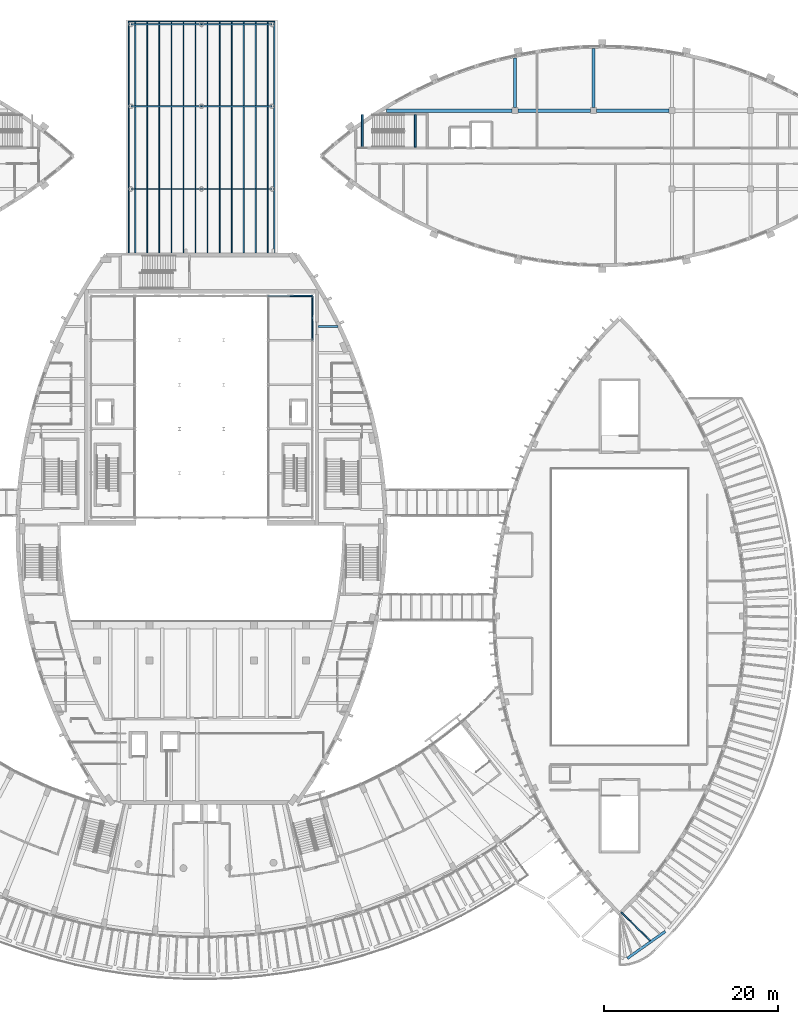
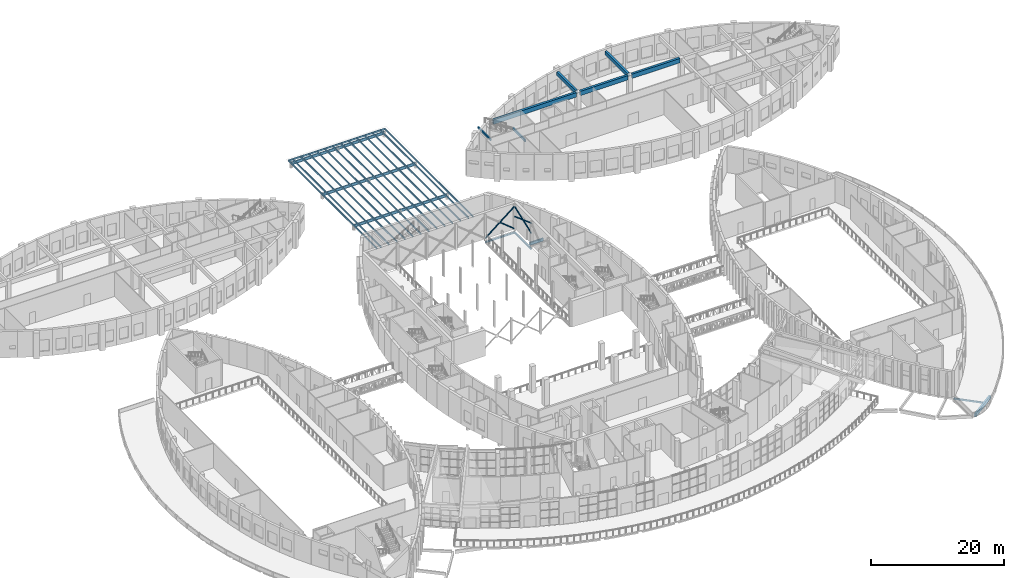
# One storey, part 38 of 93: 41 members, 21 beams.
"""IFC4 building model written with IfcOpenShell, lengths in metres."""

from ifc_helpers import new_model, si_unit, direction, frame, origin, origin_2d, place, context, subcontext, project, spatial, rectangle, hollow_rectangle, hollow_circle, i_section, extrude, material, material_profile, profile_set, type_object, element, save


model = new_model("IFC4")

# Units and contexts
model_context = context("Model", 3, precision=1e-05, world=origin(), true_north=direction((0.0, 1.0)))
body_context = subcontext(model_context, "Body", "Model", "MODEL_VIEW")
ifc_project = project(units=[si_unit("LENGTHUNIT", "METRE"), si_unit("AREAUNIT", "SQUARE_METRE"), si_unit("VOLUMEUNIT", "CUBIC_METRE"), si_unit("PLANEANGLEUNIT", "RADIAN"), si_unit("MASSUNIT", "GRAM", prefix="KILO")], contexts=[model_context])

# Site, building, storey
site_placement = place(None, origin())
site = spatial("IfcSite", under=ifc_project, at=site_placement, CompositionType="ELEMENT")
building_placement = place(site_placement, origin())
building = spatial("IfcBuilding", under=site, at=building_placement, Name="Tide Square Theatres", CompositionType="ELEMENT")
storey_placement = place(building_placement, frame((0.0, 0.0, 5.39990234375)))
storey = spatial("IfcBuildingStorey", under=building, at=storey_placement, Name="L01", CompositionType="ELEMENT", Elevation=5.39990234375)

# Beams
ifc_material_1 = material(Name="Concrete C35", Category="concrete")
ifc_material_profile_1 = material_profile(ifc_material_1, rectangle(XDim=0.14990234375, YDim=0.300048828125, at=origin_2d()))
ifc_profile_set_1 = profile_set([ifc_material_profile_1], Name="Concrete C35")
beam_type_1 = type_object("IfcBeamType", Name="RC arcade roof rib 150 x 300", PredefinedType="JOIST", material=ifc_profile_set_1)
beam_1_placement = place(storey_placement, frame((135.503173828125, 7.7314453125, -0.349853515625), z_axis=(-0.717702048746, 0.696350320762, 0.0), x_axis=(-0.696350320762, -0.717702048746, 0.0)))
element("IfcBeam", 1, at=beam_1_placement, inside=storey, type_object=beam_type_1, Name="Arcade roof rib", PredefinedType="JOIST", context=body_context, shape_type="SweptSolid", body=[
    extrude(rectangle(XDim=0.14990234375, YDim=0.300048828125, at=origin_2d()), origin(), (0.0, 0.0, 1.0), 4.642333984375),
])
ifc_material_2 = material(Name="Concrete C35", Category="concrete")
ifc_material_profile_2 = material_profile(ifc_material_2, rectangle(XDim=0.199951171875, YDim=0.39990234375, at=origin_2d()))
ifc_profile_set_2 = profile_set([ifc_material_profile_2], Name="Concrete C35")
beam_type_2 = type_object("IfcBeamType", Name="RC beam 200 x 400", PredefinedType="BEAM", material=ifc_profile_set_2)
for number, where, z_axis, x_axis, name in (
    (2, (102.449951171875, 98.800048828125, 4.320068359375), (0.0, 1.0, 0.0), (-1.0, 0.0, 0.0), "Rehearsal Block stair floor landing beam"),
    (3, (108.51953125, 98.800048828125, 2.0), (0.0, 1.0, 0.0), (-1.0, 0.0, 0.0), "Rehearsal Block stair landing beam"),
):
    element("IfcBeam", number, at=place(storey_placement, frame(where, z_axis=z_axis, x_axis=x_axis)), inside=storey, type_object=beam_type_2, Name=name, PredefinedType="BEAM", context=body_context, shape_type="SweptSolid", body=[
        extrude(rectangle(XDim=0.199951171875, YDim=0.39990234375, at=origin_2d()), origin(), (0.0, 0.0, 1.0), 3.75),
    ])
ifc_material_3 = material(Name="Concrete C35", Category="concrete")
ifc_material_profile_3 = material_profile(ifc_material_3, rectangle(XDim=0.25, YDim=0.5, at=origin_2d()))
ifc_profile_set_3 = profile_set([ifc_material_profile_3], Name="Concrete C35")
beam_type_3 = type_object("IfcBeamType", Name="RC beam 250 x 500", PredefinedType="BEAM", material=ifc_profile_set_3)
beam_2_placement = place(storey_placement, frame((97.35009765625, 78.199951171875, -0.5), z_axis=(1.0, 0.0, 0.0), x_axis=(0.0, 1.0, 0.0)))
element("IfcBeam", 4, at=beam_2_placement, inside=storey, type_object=beam_type_3, Name="Floor beam", PredefinedType="BEAM", context=body_context, shape_type="SweptSolid", body=[
    extrude(rectangle(XDim=0.25, YDim=0.5, at=origin_2d()), origin(), (0.0, 0.0, 1.0), 2.335205078125),
])
ifc_material_4 = material(Name="Concrete C35", Category="concrete")
ifc_material_profile_4 = material_profile(ifc_material_4, rectangle(XDim=0.300048828125, YDim=0.60009765625, at=origin_2d()))
ifc_profile_set_4 = profile_set([ifc_material_profile_4], Name="Concrete C35")
beam_type_4 = type_object("IfcBeamType", Name="RC beam 300 x 600", PredefinedType="BEAM", material=ifc_profile_set_4)
beam_3_placement = place(storey_placement, frame((132.885986328125, 5.692138671875, -0.5), z_axis=(0.815323131648, 0.57900620981, 0.0), x_axis=(-0.57900620981, 0.815323131648, 0.0)))
element("IfcBeam", 5, at=beam_3_placement, inside=storey, type_object=beam_type_4, Name="Colonnade beam", PredefinedType="BEAM", context=body_context, shape_type="SweptSolid", body=[
    extrude(rectangle(XDim=0.300048828125, YDim=0.60009765625, at=origin_2d()), origin(), (0.0, 0.0, 1.0), 5.333984375),
])
ifc_material_5 = material(Name="Concrete C35", Category="concrete")
ifc_material_profile_5 = material_profile(ifc_material_5, rectangle(XDim=0.35009765625, YDim=0.699951171875, at=origin_2d()))
ifc_profile_set_5 = profile_set([ifc_material_profile_5], Name="Concrete C35")
beam_type_5 = type_object("IfcBeamType", Name="RC beam 350 x 700", PredefinedType="BEAM", material=ifc_profile_set_5)
beam_4_placement = place(storey_placement, frame((120.0, 103.35009765625, 4.170166015625), z_axis=(0.0, 1.0, 0.0), x_axis=(-1.0, 0.0, 0.0)))
element("IfcBeam", 6, at=beam_4_placement, inside=storey, type_object=beam_type_5, Name="Rehearsal Block floor beam L02 8", PredefinedType="BEAM", context=body_context, shape_type="SweptSolid", body=[
    extrude(rectangle(XDim=0.35009765625, YDim=0.699951171875, at=origin_2d()), origin(), (0.0, 0.0, 1.0), 5.685546875),
])
beam_5_placement = place(storey_placement, frame((129.0, 103.35009765625, 4.170166015625), z_axis=(0.0, 1.0, 0.0), x_axis=(-1.0, 0.0, 0.0)))
element("IfcBeam", 7, at=beam_5_placement, inside=storey, type_object=beam_type_5, Name="Rehearsal Block floor beam L02 9", PredefinedType="BEAM", context=body_context, shape_type="SweptSolid", body=[
    extrude(rectangle(XDim=0.35009765625, YDim=0.699951171875, at=origin_2d()), origin(), (0.0, 0.0, 1.0), 6.7734375),
])
ifc_material_6 = material(Name="Concrete C35", Category="concrete")
ifc_material_profile_6 = material_profile(ifc_material_6, rectangle(XDim=0.39990234375, YDim=0.800048828125, at=origin_2d()))
ifc_profile_set_6 = profile_set([ifc_material_profile_6], Name="Concrete C35")
beam_type_6 = type_object("IfcBeamType", Name="RC beam 400 x 800", PredefinedType="BEAM", material=ifc_profile_set_6)
beam_6_placement = place(storey_placement, frame((105.257080078125, 103.0, 4.1201171875), z_axis=(1.0, 0.0, 0.0), x_axis=(0.0, 1.0, 0.0)))
element("IfcBeam", 8, at=beam_6_placement, inside=storey, type_object=beam_type_6, Name="Rehearsal Block floor beam L02 3", PredefinedType="BEAM", context=body_context, shape_type="SweptSolid", body=[
    extrude(rectangle(XDim=0.39990234375, YDim=0.800048828125, at=origin_2d()), origin(), (0.0, 0.0, 1.0), 14.392822265625),
])
for number, where, z_axis, x_axis, name in (
    (9, (120.35009765625, 103.0, 4.1201171875), (1.0, 0.0, 0.0), (0.0, 1.0, 0.0), "Rehearsal Block floor beam L02 4"),
    (10, (129.35009765625, 103.0, 4.1201171875), (1.0, 0.0, 0.0), (0.0, 1.0, 0.0), "Rehearsal Block floor beam L02 5"),
):
    element("IfcBeam", number, at=place(storey_placement, frame(where, z_axis=z_axis, x_axis=x_axis)), inside=storey, type_object=beam_type_6, Name=name, PredefinedType="BEAM", context=body_context, shape_type="SweptSolid", body=[
        extrude(rectangle(XDim=0.39990234375, YDim=0.800048828125, at=origin_2d()), origin(), (0.0, 0.0, 1.0), 8.2998046875),
    ])
ifc_material_7 = material(Name="Steel ASTM A500 Grade C", Category="steel")
ifc_material_profile_7 = material_profile(ifc_material_7, hollow_rectangle(XDim=0.14990234375, YDim=0.300048828125, WallThickness=0.010009765625, InnerFilletRadius=0.010009765625, OuterFilletRadius=0.02001953125, at=origin_2d()))
ifc_profile_set_7 = profile_set([ifc_material_profile_7], Name="Steel ASTM A500 Grade C")
beam_type_7 = type_object("IfcBeamType", Name="Steel beam RHS 300 x 150 x 10.0", PredefinedType="BEAM", material=ifc_profile_set_7)
for number, where, z_axis, x_axis, name in (
    (11, (75.64990234375, 86.642333984375, 1.110107421875), (0.0, 1.0, 0.0), (-1.0, 0.0, 0.0), "Canopy edge beam"),
    (12, (92.35009765625, 86.642333984375, 1.110107421875), (0.0, 1.0, 0.0), (-1.0, 0.0, 0.0), "Canopy edge beam"),
):
    element("IfcBeam", number, at=place(storey_placement, frame(where, z_axis=z_axis, x_axis=x_axis)), inside=storey, type_object=beam_type_7, Name=name, PredefinedType="BEAM", context=body_context, shape_type="SweptSolid", body=[
        extrude(hollow_rectangle(XDim=0.14990234375, YDim=0.300048828125, WallThickness=0.010009765625, InnerFilletRadius=0.010009765625, OuterFilletRadius=0.02001953125, at=origin_2d()), origin(), (0.0, 0.0, 1.0), 26.507568359375),
    ])
beam_7_placement = place(storey_placement, frame((75.574951171875, 113.22509765625, 1.110107421875), z_axis=(1.0, 0.0, 0.0), x_axis=(0.0, 1.0, 0.0)))
element("IfcBeam", 13, at=beam_7_placement, inside=storey, type_object=beam_type_7, Name="Canopy edge beam", PredefinedType="BEAM", context=body_context, shape_type="SweptSolid", body=[
    extrude(hollow_rectangle(XDim=0.14990234375, YDim=0.300048828125, WallThickness=0.010009765625, InnerFilletRadius=0.010009765625, OuterFilletRadius=0.02001953125, at=origin_2d()), origin(), (0.0, 0.0, 1.0), 16.85009765625),
])
ifc_material_8 = material(Name="Steel ASTM A572 Grade 50", Category="steel")
ifc_material_profile_8 = material_profile(ifc_material_8, i_section(OverallWidth=0.1650390625, OverallDepth=0.31005859375, WebThickness=0.005859375, FlangeThickness=0.009765625, FilletRadius=0.010009765625, at=origin_2d()))
ifc_profile_set_8 = profile_set([ifc_material_profile_8], Name="Steel ASTM A572 Grade 50")
beam_type_8 = type_object("IfcBeamType", Name="Steel beam W 310 x 38.7", PredefinedType="BEAM", material=ifc_profile_set_8)
for number, where, z_axis, x_axis, name in (
    (14, (96.72412109375, 76.634521484375, -0.35498046875), (0.0, 1.0, 0.0), (-1.0, 0.0, 0.0), "Fly gallery beam"),
    (15, (91.634521484375, 81.72412109375, -0.35498046875), (1.0, 0.0, 0.0), (0.0, 1.0, 0.0), "Fly gallery cross beam"),
):
    element("IfcBeam", number, at=place(storey_placement, frame(where, z_axis=z_axis, x_axis=x_axis)), inside=storey, type_object=beam_type_8, Name=name, PredefinedType="BEAM", context=body_context, shape_type="SweptSolid", body=[
        extrude(i_section(OverallWidth=0.1650390625, OverallDepth=0.31005859375, WebThickness=0.005859375, FlangeThickness=0.009765625, FilletRadius=0.010009765625, at=origin_2d()), origin(), (0.0, 0.0, 1.0), 5.089599609375),
    ])
ifc_material_9 = material(Name="Steel ASTM A572 Grade 50", Category="steel")
ifc_material_profile_9 = material_profile(ifc_material_9, i_section(OverallWidth=0.166015625, OverallDepth=0.534912109375, WebThickness=0.01025390625, FlangeThickness=0.0166015625, FilletRadius=0.011962890625, at=origin_2d()))
ifc_profile_set_9 = profile_set([ifc_material_profile_9], Name="Steel ASTM A572 Grade 50")
beam_type_9 = type_object("IfcBeamType", Name="Steel beam W 530 x 85.0", PredefinedType="BEAM", material=ifc_profile_set_9)
for number, where, z_axis, x_axis, name in (
    (16, (75.89990234375, 94.0, 0.692626953125), (1.0, 0.0, 0.0), (0.0, 1.0, 0.0), "Canopy beam"),
    (17, (84.0, 94.0, 0.692626953125), (1.0, 0.0, 0.0), (0.0, 1.0, 0.0), "Canopy beam"),
    (18, (75.89990234375, 103.5, 0.692626953125), (1.0, 0.0, 0.0), (0.0, 1.0, 0.0), "Canopy beam"),
    (19, (84.0, 103.5, 0.692626953125), (1.0, 0.0, 0.0), (0.0, 1.0, 0.0), "Canopy beam"),
    (20, (75.89990234375, 112.89990234375, 0.692626953125), (1.0, 0.0, 0.0), (0.0, 1.0, 0.0), "Canopy beam"),
    (21, (84.0, 112.89990234375, 0.692626953125), (1.0, 0.0, 0.0), (0.0, 1.0, 0.0), "Canopy beam"),
):
    element("IfcBeam", number, at=place(storey_placement, frame(where, z_axis=z_axis, x_axis=x_axis)), inside=storey, type_object=beam_type_9, Name=name, PredefinedType="BEAM", context=body_context, shape_type="SweptSolid", body=[
        extrude(i_section(OverallWidth=0.166015625, OverallDepth=0.534912109375, WebThickness=0.01025390625, FlangeThickness=0.0166015625, FilletRadius=0.011962890625, at=origin_2d()), origin(), (0.0, 0.0, 1.0), 8.10009765625),
    ])

# Members
ifc_material_10 = material(Name="Steel ASTM A500 Grade C", Category="steel")
ifc_material_profile_10 = material_profile(ifc_material_10, hollow_circle(Radius=0.109619140625, WallThickness=0.010009765625, at=origin_2d()))
ifc_profile_set_10 = profile_set([ifc_material_profile_10], Name="Steel ASTM A500 Grade C")
member_type_1 = type_object("IfcMemberType", Name="Steel brace CHS 219.1 x 10.0", PredefinedType="BRACE", material=ifc_profile_set_10)
member_1_placement = place(storey_placement, frame((91.634521484375, 81.72412109375, 0.35009765625), z_axis=(0.778743263534, 0.0, 0.627342752808), x_axis=(0.0, 1.0, 0.0)))
element("IfcMember", 22, at=member_1_placement, inside=storey, type_object=member_type_1, Name="Fly tower brace", PredefinedType="BRACE", context=body_context, shape_type="SweptSolid", body=[
    extrude(hollow_circle(Radius=0.109619140625, WallThickness=0.010009765625, at=origin_2d()), origin(), (0.0, 0.0, 1.0), 6.53564453125),
])
member_2_placement = place(storey_placement, frame((96.72412109375, 81.72412109375, 0.35009765625), z_axis=(-0.778757072218, 0.0, 0.627325611203), x_axis=(0.0, -1.0, 0.0)))
element("IfcMember", 23, at=member_2_placement, inside=storey, type_object=member_type_1, Name="Fly tower brace", PredefinedType="BRACE", context=body_context, shape_type="SweptSolid", body=[
    extrude(hollow_circle(Radius=0.109619140625, WallThickness=0.010009765625, at=origin_2d()), origin(), (0.0, 0.0, 1.0), 3.142333984375),
])
member_3_placement = place(storey_placement, frame((96.72412109375, 76.634521484375, 2.60009765625), z_axis=(0.0, 0.939832905453, 0.34163446815), x_axis=(-1.0, 0.0, 0.0)))
element("IfcMember", 24, at=member_3_placement, inside=storey, type_object=member_type_1, Name="Fly tower brace", PredefinedType="BRACE", context=body_context, shape_type="SweptSolid", body=[
    extrude(hollow_circle(Radius=0.109619140625, WallThickness=0.010009765625, at=origin_2d()), origin(), (0.0, 0.0, 1.0), 5.41552734375),
])
member_4_placement = place(storey_placement, frame((96.72412109375, 81.72412109375, 2.60009765625), z_axis=(0.0, -0.939836620269, 0.341624248556), x_axis=(1.0, 0.0, 0.0)))
element("IfcMember", 25, at=member_4_placement, inside=storey, type_object=member_type_1, Name="Fly tower brace", PredefinedType="BRACE", context=body_context, shape_type="SweptSolid", body=[
    extrude(hollow_circle(Radius=0.109619140625, WallThickness=0.010009765625, at=origin_2d()), origin(), (0.0, 0.0, 1.0), 2.474853515625),
])
member_5_placement = place(storey_placement, frame((96.72412109375, 78.960205078125, 3.604736328125), z_axis=(0.0, -0.939825105533, 0.341655924886), x_axis=(1.0, 0.0, 0.0)))
element("IfcMember", 26, at=member_5_placement, inside=storey, type_object=member_type_1, Name="Fly tower brace", PredefinedType="BRACE", context=body_context, shape_type="SweptSolid", body=[
    extrude(hollow_circle(Radius=0.109619140625, WallThickness=0.010009765625, at=origin_2d()), origin(), (0.0, 0.0, 1.0), 2.474609375),
])
ifc_material_11 = material(Name="Steel ASTM A500 Grade C", Category="steel")
ifc_material_profile_11 = material_profile(ifc_material_11, hollow_rectangle(XDim=0.14990234375, YDim=0.300048828125, WallThickness=0.010009765625, InnerFilletRadius=0.010009765625, OuterFilletRadius=0.02001953125, at=origin_2d()))
ifc_profile_set_11 = profile_set([ifc_material_profile_11], Name="Steel ASTM A500 Grade C")
member_type_2 = type_object("IfcMemberType", Name="Steel purlin RHS 300 x 150 x 10.0", PredefinedType="PURLIN", material=ifc_profile_set_11)
member_6_placement = place(storey_placement, frame((76.3916015625, 86.642333984375, 1.110107421875), z_axis=(0.0, 1.0, 0.0), x_axis=(-1.0, 0.0, 0.0)))
element("IfcMember", 27, at=member_6_placement, inside=storey, type_object=member_type_2, Name="Canopy purlin", PredefinedType="PURLIN", context=body_context, shape_type="SweptSolid", body=[
    extrude(hollow_rectangle(XDim=0.14990234375, YDim=0.300048828125, WallThickness=0.010009765625, InnerFilletRadius=0.010009765625, OuterFilletRadius=0.02001953125, at=origin_2d()), origin(), (0.0, 0.0, 1.0), 7.357666015625),
])
member_7_placement = place(storey_placement, frame((76.3916015625, 94.0, 1.110107421875), z_axis=(0.0, 1.0, 0.0), x_axis=(-1.0, 0.0, 0.0)))
element("IfcMember", 28, at=member_7_placement, inside=storey, type_object=member_type_2, Name="Canopy purlin", PredefinedType="PURLIN", context=body_context, shape_type="SweptSolid", body=[
    extrude(hollow_rectangle(XDim=0.14990234375, YDim=0.300048828125, WallThickness=0.010009765625, InnerFilletRadius=0.010009765625, OuterFilletRadius=0.02001953125, at=origin_2d()), origin(), (0.0, 0.0, 1.0), 9.5),
])
member_8_placement = place(storey_placement, frame((76.3916015625, 103.5, 1.110107421875), z_axis=(0.0, 1.0, 0.0), x_axis=(-1.0, 0.0, 0.0)))
element("IfcMember", 29, at=member_8_placement, inside=storey, type_object=member_type_2, Name="Canopy purlin", PredefinedType="PURLIN", context=body_context, shape_type="SweptSolid", body=[
    extrude(hollow_rectangle(XDim=0.14990234375, YDim=0.300048828125, WallThickness=0.010009765625, InnerFilletRadius=0.010009765625, OuterFilletRadius=0.02001953125, at=origin_2d()), origin(), (0.0, 0.0, 1.0), 9.64990234375),
])
member_9_placement = place(storey_placement, frame((77.77490234375, 86.642333984375, 1.110107421875), z_axis=(0.0, 1.0, 0.0), x_axis=(-1.0, 0.0, 0.0)))
element("IfcMember", 30, at=member_9_placement, inside=storey, type_object=member_type_2, Name="Canopy purlin", PredefinedType="PURLIN", context=body_context, shape_type="SweptSolid", body=[
    extrude(hollow_rectangle(XDim=0.14990234375, YDim=0.300048828125, WallThickness=0.010009765625, InnerFilletRadius=0.010009765625, OuterFilletRadius=0.02001953125, at=origin_2d()), origin(), (0.0, 0.0, 1.0), 7.357666015625),
])
member_10_placement = place(storey_placement, frame((77.77490234375, 94.0, 1.110107421875), z_axis=(0.0, 1.0, 0.0), x_axis=(-1.0, 0.0, 0.0)))
element("IfcMember", 31, at=member_10_placement, inside=storey, type_object=member_type_2, Name="Canopy purlin", PredefinedType="PURLIN", context=body_context, shape_type="SweptSolid", body=[
    extrude(hollow_rectangle(XDim=0.14990234375, YDim=0.300048828125, WallThickness=0.010009765625, InnerFilletRadius=0.010009765625, OuterFilletRadius=0.02001953125, at=origin_2d()), origin(), (0.0, 0.0, 1.0), 9.5),
])
member_11_placement = place(storey_placement, frame((77.77490234375, 103.5, 1.110107421875), z_axis=(0.0, 1.0, 0.0), x_axis=(-1.0, 0.0, 0.0)))
element("IfcMember", 32, at=member_11_placement, inside=storey, type_object=member_type_2, Name="Canopy purlin", PredefinedType="PURLIN", context=body_context, shape_type="SweptSolid", body=[
    extrude(hollow_rectangle(XDim=0.14990234375, YDim=0.300048828125, WallThickness=0.010009765625, InnerFilletRadius=0.010009765625, OuterFilletRadius=0.02001953125, at=origin_2d()), origin(), (0.0, 0.0, 1.0), 9.64990234375),
])
member_12_placement = place(storey_placement, frame((79.158203125, 86.642333984375, 1.110107421875), z_axis=(0.0, 1.0, 0.0), x_axis=(-1.0, 0.0, 0.0)))
element("IfcMember", 33, at=member_12_placement, inside=storey, type_object=member_type_2, Name="Canopy purlin", PredefinedType="PURLIN", context=body_context, shape_type="SweptSolid", body=[
    extrude(hollow_rectangle(XDim=0.14990234375, YDim=0.300048828125, WallThickness=0.010009765625, InnerFilletRadius=0.010009765625, OuterFilletRadius=0.02001953125, at=origin_2d()), origin(), (0.0, 0.0, 1.0), 7.357666015625),
])
member_13_placement = place(storey_placement, frame((79.158203125, 94.0, 1.110107421875), z_axis=(0.0, 1.0, 0.0), x_axis=(-1.0, 0.0, 0.0)))
element("IfcMember", 34, at=member_13_placement, inside=storey, type_object=member_type_2, Name="Canopy purlin", PredefinedType="PURLIN", context=body_context, shape_type="SweptSolid", body=[
    extrude(hollow_rectangle(XDim=0.14990234375, YDim=0.300048828125, WallThickness=0.010009765625, InnerFilletRadius=0.010009765625, OuterFilletRadius=0.02001953125, at=origin_2d()), origin(), (0.0, 0.0, 1.0), 9.5),
])
member_14_placement = place(storey_placement, frame((79.158203125, 103.5, 1.110107421875), z_axis=(0.0, 1.0, 0.0), x_axis=(-1.0, 0.0, 0.0)))
element("IfcMember", 35, at=member_14_placement, inside=storey, type_object=member_type_2, Name="Canopy purlin", PredefinedType="PURLIN", context=body_context, shape_type="SweptSolid", body=[
    extrude(hollow_rectangle(XDim=0.14990234375, YDim=0.300048828125, WallThickness=0.010009765625, InnerFilletRadius=0.010009765625, OuterFilletRadius=0.02001953125, at=origin_2d()), origin(), (0.0, 0.0, 1.0), 9.64990234375),
])
member_15_placement = place(storey_placement, frame((80.541748046875, 86.642333984375, 1.110107421875), z_axis=(0.0, 1.0, 0.0), x_axis=(-1.0, 0.0, 0.0)))
element("IfcMember", 36, at=member_15_placement, inside=storey, type_object=member_type_2, Name="Canopy purlin", PredefinedType="PURLIN", context=body_context, shape_type="SweptSolid", body=[
    extrude(hollow_rectangle(XDim=0.14990234375, YDim=0.300048828125, WallThickness=0.010009765625, InnerFilletRadius=0.010009765625, OuterFilletRadius=0.02001953125, at=origin_2d()), origin(), (0.0, 0.0, 1.0), 7.357666015625),
])
member_16_placement = place(storey_placement, frame((80.541748046875, 94.0, 1.110107421875), z_axis=(0.0, 1.0, 0.0), x_axis=(-1.0, 0.0, 0.0)))
element("IfcMember", 37, at=member_16_placement, inside=storey, type_object=member_type_2, Name="Canopy purlin", PredefinedType="PURLIN", context=body_context, shape_type="SweptSolid", body=[
    extrude(hollow_rectangle(XDim=0.14990234375, YDim=0.300048828125, WallThickness=0.010009765625, InnerFilletRadius=0.010009765625, OuterFilletRadius=0.02001953125, at=origin_2d()), origin(), (0.0, 0.0, 1.0), 9.5),
])
member_17_placement = place(storey_placement, frame((80.541748046875, 103.5, 1.110107421875), z_axis=(0.0, 1.0, 0.0), x_axis=(-1.0, 0.0, 0.0)))
element("IfcMember", 38, at=member_17_placement, inside=storey, type_object=member_type_2, Name="Canopy purlin", PredefinedType="PURLIN", context=body_context, shape_type="SweptSolid", body=[
    extrude(hollow_rectangle(XDim=0.14990234375, YDim=0.300048828125, WallThickness=0.010009765625, InnerFilletRadius=0.010009765625, OuterFilletRadius=0.02001953125, at=origin_2d()), origin(), (0.0, 0.0, 1.0), 9.64990234375),
])
member_18_placement = place(storey_placement, frame((81.925048828125, 86.642333984375, 1.110107421875), z_axis=(0.0, 1.0, 0.0), x_axis=(-1.0, 0.0, 0.0)))
element("IfcMember", 39, at=member_18_placement, inside=storey, type_object=member_type_2, Name="Canopy purlin", PredefinedType="PURLIN", context=body_context, shape_type="SweptSolid", body=[
    extrude(hollow_rectangle(XDim=0.14990234375, YDim=0.300048828125, WallThickness=0.010009765625, InnerFilletRadius=0.010009765625, OuterFilletRadius=0.02001953125, at=origin_2d()), origin(), (0.0, 0.0, 1.0), 7.357666015625),
])
member_19_placement = place(storey_placement, frame((81.925048828125, 94.0, 1.110107421875), z_axis=(0.0, 1.0, 0.0), x_axis=(-1.0, 0.0, 0.0)))
element("IfcMember", 40, at=member_19_placement, inside=storey, type_object=member_type_2, Name="Canopy purlin", PredefinedType="PURLIN", context=body_context, shape_type="SweptSolid", body=[
    extrude(hollow_rectangle(XDim=0.14990234375, YDim=0.300048828125, WallThickness=0.010009765625, InnerFilletRadius=0.010009765625, OuterFilletRadius=0.02001953125, at=origin_2d()), origin(), (0.0, 0.0, 1.0), 9.5),
])
member_20_placement = place(storey_placement, frame((81.925048828125, 103.5, 1.110107421875), z_axis=(0.0, 1.0, 0.0), x_axis=(-1.0, 0.0, 0.0)))
element("IfcMember", 41, at=member_20_placement, inside=storey, type_object=member_type_2, Name="Canopy purlin", PredefinedType="PURLIN", context=body_context, shape_type="SweptSolid", body=[
    extrude(hollow_rectangle(XDim=0.14990234375, YDim=0.300048828125, WallThickness=0.010009765625, InnerFilletRadius=0.010009765625, OuterFilletRadius=0.02001953125, at=origin_2d()), origin(), (0.0, 0.0, 1.0), 9.64990234375),
])
member_21_placement = place(storey_placement, frame((83.308349609375, 86.642333984375, 1.110107421875), z_axis=(0.0, 1.0, 0.0), x_axis=(-1.0, 0.0, 0.0)))
element("IfcMember", 42, at=member_21_placement, inside=storey, type_object=member_type_2, Name="Canopy purlin", PredefinedType="PURLIN", context=body_context, shape_type="SweptSolid", body=[
    extrude(hollow_rectangle(XDim=0.14990234375, YDim=0.300048828125, WallThickness=0.010009765625, InnerFilletRadius=0.010009765625, OuterFilletRadius=0.02001953125, at=origin_2d()), origin(), (0.0, 0.0, 1.0), 7.357666015625),
])
member_22_placement = place(storey_placement, frame((83.308349609375, 94.0, 1.110107421875), z_axis=(0.0, 1.0, 0.0), x_axis=(-1.0, 0.0, 0.0)))
element("IfcMember", 43, at=member_22_placement, inside=storey, type_object=member_type_2, Name="Canopy purlin", PredefinedType="PURLIN", context=body_context, shape_type="SweptSolid", body=[
    extrude(hollow_rectangle(XDim=0.14990234375, YDim=0.300048828125, WallThickness=0.010009765625, InnerFilletRadius=0.010009765625, OuterFilletRadius=0.02001953125, at=origin_2d()), origin(), (0.0, 0.0, 1.0), 9.5),
])
member_23_placement = place(storey_placement, frame((83.308349609375, 103.5, 1.110107421875), z_axis=(0.0, 1.0, 0.0), x_axis=(-1.0, 0.0, 0.0)))
element("IfcMember", 44, at=member_23_placement, inside=storey, type_object=member_type_2, Name="Canopy purlin", PredefinedType="PURLIN", context=body_context, shape_type="SweptSolid", body=[
    extrude(hollow_rectangle(XDim=0.14990234375, YDim=0.300048828125, WallThickness=0.010009765625, InnerFilletRadius=0.010009765625, OuterFilletRadius=0.02001953125, at=origin_2d()), origin(), (0.0, 0.0, 1.0), 9.64990234375),
])
member_24_placement = place(storey_placement, frame((84.691650390625, 86.642333984375, 1.110107421875), z_axis=(0.0, 1.0, 0.0), x_axis=(-1.0, 0.0, 0.0)))
element("IfcMember", 45, at=member_24_placement, inside=storey, type_object=member_type_2, Name="Canopy purlin", PredefinedType="PURLIN", context=body_context, shape_type="SweptSolid", body=[
    extrude(hollow_rectangle(XDim=0.14990234375, YDim=0.300048828125, WallThickness=0.010009765625, InnerFilletRadius=0.010009765625, OuterFilletRadius=0.02001953125, at=origin_2d()), origin(), (0.0, 0.0, 1.0), 7.357666015625),
])
member_25_placement = place(storey_placement, frame((84.691650390625, 94.0, 1.110107421875), z_axis=(0.0, 1.0, 0.0), x_axis=(-1.0, 0.0, 0.0)))
element("IfcMember", 46, at=member_25_placement, inside=storey, type_object=member_type_2, Name="Canopy purlin", PredefinedType="PURLIN", context=body_context, shape_type="SweptSolid", body=[
    extrude(hollow_rectangle(XDim=0.14990234375, YDim=0.300048828125, WallThickness=0.010009765625, InnerFilletRadius=0.010009765625, OuterFilletRadius=0.02001953125, at=origin_2d()), origin(), (0.0, 0.0, 1.0), 9.5),
])
member_26_placement = place(storey_placement, frame((84.691650390625, 103.5, 1.110107421875), z_axis=(0.0, 1.0, 0.0), x_axis=(-1.0, 0.0, 0.0)))
element("IfcMember", 47, at=member_26_placement, inside=storey, type_object=member_type_2, Name="Canopy purlin", PredefinedType="PURLIN", context=body_context, shape_type="SweptSolid", body=[
    extrude(hollow_rectangle(XDim=0.14990234375, YDim=0.300048828125, WallThickness=0.010009765625, InnerFilletRadius=0.010009765625, OuterFilletRadius=0.02001953125, at=origin_2d()), origin(), (0.0, 0.0, 1.0), 9.64990234375),
])
member_27_placement = place(storey_placement, frame((86.074951171875, 86.642333984375, 1.110107421875), z_axis=(0.0, 1.0, 0.0), x_axis=(-1.0, 0.0, 0.0)))
element("IfcMember", 48, at=member_27_placement, inside=storey, type_object=member_type_2, Name="Canopy purlin", PredefinedType="PURLIN", context=body_context, shape_type="SweptSolid", body=[
    extrude(hollow_rectangle(XDim=0.14990234375, YDim=0.300048828125, WallThickness=0.010009765625, InnerFilletRadius=0.010009765625, OuterFilletRadius=0.02001953125, at=origin_2d()), origin(), (0.0, 0.0, 1.0), 7.357666015625),
])
member_28_placement = place(storey_placement, frame((86.074951171875, 94.0, 1.110107421875), z_axis=(0.0, 1.0, 0.0), x_axis=(-1.0, 0.0, 0.0)))
element("IfcMember", 49, at=member_28_placement, inside=storey, type_object=member_type_2, Name="Canopy purlin", PredefinedType="PURLIN", context=body_context, shape_type="SweptSolid", body=[
    extrude(hollow_rectangle(XDim=0.14990234375, YDim=0.300048828125, WallThickness=0.010009765625, InnerFilletRadius=0.010009765625, OuterFilletRadius=0.02001953125, at=origin_2d()), origin(), (0.0, 0.0, 1.0), 9.5),
])
member_29_placement = place(storey_placement, frame((86.074951171875, 103.5, 1.110107421875), z_axis=(0.0, 1.0, 0.0), x_axis=(-1.0, 0.0, 0.0)))
element("IfcMember", 50, at=member_29_placement, inside=storey, type_object=member_type_2, Name="Canopy purlin", PredefinedType="PURLIN", context=body_context, shape_type="SweptSolid", body=[
    extrude(hollow_rectangle(XDim=0.14990234375, YDim=0.300048828125, WallThickness=0.010009765625, InnerFilletRadius=0.010009765625, OuterFilletRadius=0.02001953125, at=origin_2d()), origin(), (0.0, 0.0, 1.0), 9.64990234375),
])
member_30_placement = place(storey_placement, frame((87.458251953125, 86.642333984375, 1.110107421875), z_axis=(0.0, 1.0, 0.0), x_axis=(-1.0, 0.0, 0.0)))
element("IfcMember", 51, at=member_30_placement, inside=storey, type_object=member_type_2, Name="Canopy purlin", PredefinedType="PURLIN", context=body_context, shape_type="SweptSolid", body=[
    extrude(hollow_rectangle(XDim=0.14990234375, YDim=0.300048828125, WallThickness=0.010009765625, InnerFilletRadius=0.010009765625, OuterFilletRadius=0.02001953125, at=origin_2d()), origin(), (0.0, 0.0, 1.0), 7.357666015625),
])
member_31_placement = place(storey_placement, frame((87.458251953125, 94.0, 1.110107421875), z_axis=(0.0, 1.0, 0.0), x_axis=(-1.0, 0.0, 0.0)))
element("IfcMember", 52, at=member_31_placement, inside=storey, type_object=member_type_2, Name="Canopy purlin", PredefinedType="PURLIN", context=body_context, shape_type="SweptSolid", body=[
    extrude(hollow_rectangle(XDim=0.14990234375, YDim=0.300048828125, WallThickness=0.010009765625, InnerFilletRadius=0.010009765625, OuterFilletRadius=0.02001953125, at=origin_2d()), origin(), (0.0, 0.0, 1.0), 9.5),
])
member_32_placement = place(storey_placement, frame((87.458251953125, 103.5, 1.110107421875), z_axis=(0.0, 1.0, 0.0), x_axis=(-1.0, 0.0, 0.0)))
element("IfcMember", 53, at=member_32_placement, inside=storey, type_object=member_type_2, Name="Canopy purlin", PredefinedType="PURLIN", context=body_context, shape_type="SweptSolid", body=[
    extrude(hollow_rectangle(XDim=0.14990234375, YDim=0.300048828125, WallThickness=0.010009765625, InnerFilletRadius=0.010009765625, OuterFilletRadius=0.02001953125, at=origin_2d()), origin(), (0.0, 0.0, 1.0), 9.64990234375),
])
member_33_placement = place(storey_placement, frame((88.841796875, 86.642333984375, 1.110107421875), z_axis=(0.0, 1.0, 0.0), x_axis=(-1.0, 0.0, 0.0)))
element("IfcMember", 54, at=member_33_placement, inside=storey, type_object=member_type_2, Name="Canopy purlin", PredefinedType="PURLIN", context=body_context, shape_type="SweptSolid", body=[
    extrude(hollow_rectangle(XDim=0.14990234375, YDim=0.300048828125, WallThickness=0.010009765625, InnerFilletRadius=0.010009765625, OuterFilletRadius=0.02001953125, at=origin_2d()), origin(), (0.0, 0.0, 1.0), 7.357666015625),
])
member_34_placement = place(storey_placement, frame((88.841796875, 94.0, 1.110107421875), z_axis=(0.0, 1.0, 0.0), x_axis=(-1.0, 0.0, 0.0)))
element("IfcMember", 55, at=member_34_placement, inside=storey, type_object=member_type_2, Name="Canopy purlin", PredefinedType="PURLIN", context=body_context, shape_type="SweptSolid", body=[
    extrude(hollow_rectangle(XDim=0.14990234375, YDim=0.300048828125, WallThickness=0.010009765625, InnerFilletRadius=0.010009765625, OuterFilletRadius=0.02001953125, at=origin_2d()), origin(), (0.0, 0.0, 1.0), 9.5),
])
member_35_placement = place(storey_placement, frame((88.841796875, 103.5, 1.110107421875), z_axis=(0.0, 1.0, 0.0), x_axis=(-1.0, 0.0, 0.0)))
element("IfcMember", 56, at=member_35_placement, inside=storey, type_object=member_type_2, Name="Canopy purlin", PredefinedType="PURLIN", context=body_context, shape_type="SweptSolid", body=[
    extrude(hollow_rectangle(XDim=0.14990234375, YDim=0.300048828125, WallThickness=0.010009765625, InnerFilletRadius=0.010009765625, OuterFilletRadius=0.02001953125, at=origin_2d()), origin(), (0.0, 0.0, 1.0), 9.64990234375),
])
member_36_placement = place(storey_placement, frame((90.22509765625, 86.642333984375, 1.110107421875), z_axis=(0.0, 1.0, 0.0), x_axis=(-1.0, 0.0, 0.0)))
element("IfcMember", 57, at=member_36_placement, inside=storey, type_object=member_type_2, Name="Canopy purlin", PredefinedType="PURLIN", context=body_context, shape_type="SweptSolid", body=[
    extrude(hollow_rectangle(XDim=0.14990234375, YDim=0.300048828125, WallThickness=0.010009765625, InnerFilletRadius=0.010009765625, OuterFilletRadius=0.02001953125, at=origin_2d()), origin(), (0.0, 0.0, 1.0), 7.357666015625),
])
member_37_placement = place(storey_placement, frame((90.22509765625, 94.0, 1.110107421875), z_axis=(0.0, 1.0, 0.0), x_axis=(-1.0, 0.0, 0.0)))
element("IfcMember", 58, at=member_37_placement, inside=storey, type_object=member_type_2, Name="Canopy purlin", PredefinedType="PURLIN", context=body_context, shape_type="SweptSolid", body=[
    extrude(hollow_rectangle(XDim=0.14990234375, YDim=0.300048828125, WallThickness=0.010009765625, InnerFilletRadius=0.010009765625, OuterFilletRadius=0.02001953125, at=origin_2d()), origin(), (0.0, 0.0, 1.0), 9.5),
])
member_38_placement = place(storey_placement, frame((90.22509765625, 103.5, 1.110107421875), z_axis=(0.0, 1.0, 0.0), x_axis=(-1.0, 0.0, 0.0)))
element("IfcMember", 59, at=member_38_placement, inside=storey, type_object=member_type_2, Name="Canopy purlin", PredefinedType="PURLIN", context=body_context, shape_type="SweptSolid", body=[
    extrude(hollow_rectangle(XDim=0.14990234375, YDim=0.300048828125, WallThickness=0.010009765625, InnerFilletRadius=0.010009765625, OuterFilletRadius=0.02001953125, at=origin_2d()), origin(), (0.0, 0.0, 1.0), 9.64990234375),
])
member_39_placement = place(storey_placement, frame((91.6083984375, 86.642333984375, 1.110107421875), z_axis=(0.0, 1.0, 0.0), x_axis=(-1.0, 0.0, 0.0)))
element("IfcMember", 60, at=member_39_placement, inside=storey, type_object=member_type_2, Name="Canopy purlin", PredefinedType="PURLIN", context=body_context, shape_type="SweptSolid", body=[
    extrude(hollow_rectangle(XDim=0.14990234375, YDim=0.300048828125, WallThickness=0.010009765625, InnerFilletRadius=0.010009765625, OuterFilletRadius=0.02001953125, at=origin_2d()), origin(), (0.0, 0.0, 1.0), 7.357666015625),
])
member_40_placement = place(storey_placement, frame((91.6083984375, 94.0, 1.110107421875), z_axis=(0.0, 1.0, 0.0), x_axis=(-1.0, 0.0, 0.0)))
element("IfcMember", 61, at=member_40_placement, inside=storey, type_object=member_type_2, Name="Canopy purlin", PredefinedType="PURLIN", context=body_context, shape_type="SweptSolid", body=[
    extrude(hollow_rectangle(XDim=0.14990234375, YDim=0.300048828125, WallThickness=0.010009765625, InnerFilletRadius=0.010009765625, OuterFilletRadius=0.02001953125, at=origin_2d()), origin(), (0.0, 0.0, 1.0), 9.5),
])
member_41_placement = place(storey_placement, frame((91.6083984375, 103.5, 1.110107421875), z_axis=(0.0, 1.0, 0.0), x_axis=(-1.0, 0.0, 0.0)))
element("IfcMember", 62, at=member_41_placement, inside=storey, type_object=member_type_2, Name="Canopy purlin", PredefinedType="PURLIN", context=body_context, shape_type="SweptSolid", body=[
    extrude(hollow_rectangle(XDim=0.14990234375, YDim=0.300048828125, WallThickness=0.010009765625, InnerFilletRadius=0.010009765625, OuterFilletRadius=0.02001953125, at=origin_2d()), origin(), (0.0, 0.0, 1.0), 9.64990234375),
])

save(model, "model.ifc")
